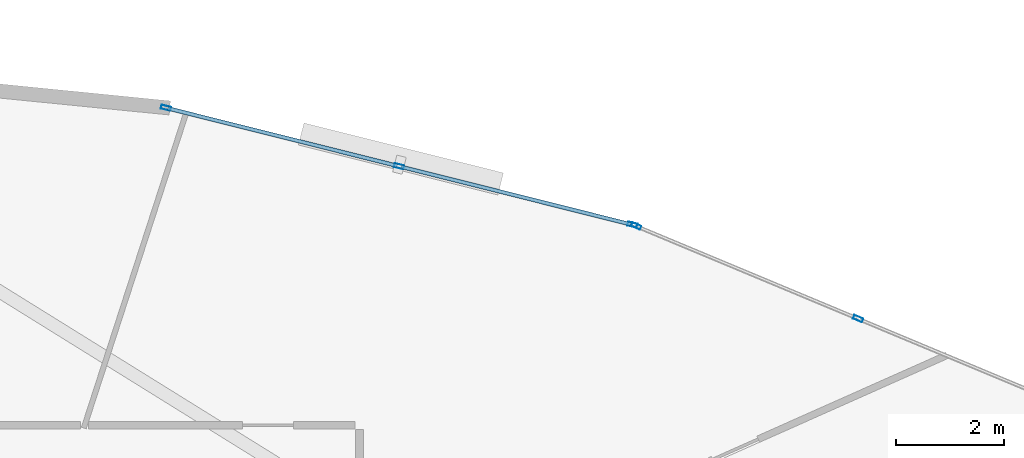
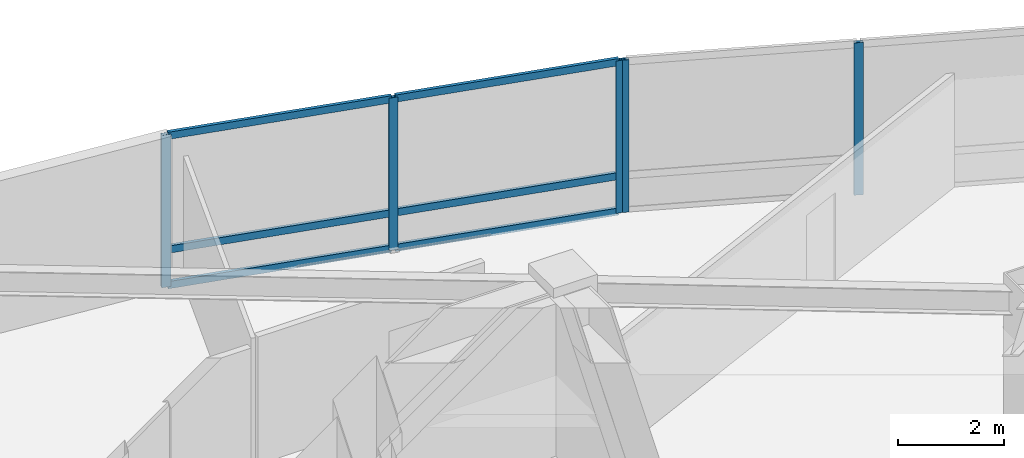
# One storey, part 9 of 18: 11 members, 2 elements without a shape of their own.
"""IFC4 building model written with IfcOpenShell, lengths in metres."""

from ifc_helpers import new_model, si_unit, direction, frame, origin, origin_2d, place, context, subcontext, project, spatial, hollow_rectangle, extrude, material, layer, layer_set, material_profile, profile_set, type_object, element, aggregate, save


model = new_model("IFC4")

# Units and contexts
model_context = context("Model", 3, precision=1e-05, world=origin(), true_north=direction((0.0, 1.0)))
body_context = subcontext(model_context, "Body", "Model", "MODEL_VIEW")
ifc_project = project(units=[si_unit("LENGTHUNIT", "METRE"), si_unit("AREAUNIT", "SQUARE_METRE"), si_unit("VOLUMEUNIT", "CUBIC_METRE"), si_unit("PLANEANGLEUNIT", "RADIAN"), si_unit("MASSUNIT", "GRAM", prefix="KILO")], contexts=[model_context])

# Site, building, storey
site_placement = place(None, origin())
site = spatial("IfcSite", under=ifc_project, at=site_placement, CompositionType="ELEMENT")
building_placement = place(site_placement, origin())
building = spatial("IfcBuilding", under=site, at=building_placement, Name="Menara Vayukalpa", CompositionType="ELEMENT")
storey_placement = place(building_placement, frame((0.0, 0.0, 165.47998046875)))
storey = spatial("IfcBuildingStorey", under=building, at=storey_placement, Name="L41", CompositionType="ELEMENT", Elevation=165.47998046875)

# Curtain wall, members
ifc_material_1 = material(Name="Anodised Terracotta Aluminium Alloy 6063-T6", Category="masonry")
ifc_layer = layer(ifc_material_1, 0.179931640625)
ifc_layer_set = layer_set([ifc_layer], Name="Anodised Terracotta Aluminium Alloy 6063-T6")
curtain_wall_type = type_object("IfcCurtainWallType", Name="CW-CW4", PredefinedType="USERDEFINED", material=ifc_layer_set)
curtain_wall_1_placement = place(storey_placement, origin())
curtain_wall_1 = element("IfcCurtainWall", 1, at=curtain_wall_1_placement, inside=storey, type_object=curtain_wall_type, Name="L41 Sky Bar Cantilever Glazed Curtain Wall CW4 04", ObjectType="UNITISED", PredefinedType="USERDEFINED")
ifc_material_2 = material(Name="Anodised Terracotta Aluminium Alloy 6063-T6", Category="masonry")
ifc_material_profile_1 = material_profile(ifc_material_2, hollow_rectangle(XDim=0.074951171875, YDim=0.179931640625, WallThickness=0.00390625, at=origin_2d()), Name="ALU 75x180x4")
ifc_profile_set_1 = profile_set([ifc_material_profile_1], Name="Anodised Terracotta Aluminium Alloy 6063-T6")
member_type_1 = type_object("IfcMemberType", Name="CWM-CW4", PredefinedType="MULLION", material=ifc_profile_set_1)
member_1_placement = place(storey_placement, frame((42.098388671875, 30.75146484375, 0.0), z_axis=(0.0, 0.0, 1.0), x_axis=(-0.385091352437, -0.922878459104, 0.0)))
member_1 = element("IfcMember", 2, at=member_1_placement, type_object=member_type_1, Name="CW4 mullion 2", PredefinedType="MULLION", context=body_context, shape_type="SweptSolid", body=[
    extrude(hollow_rectangle(XDim=0.074951171875, YDim=0.179931640625, WallThickness=0.00390625, at=origin_2d()), origin(), (0.0, 0.0, 1.0), 3.5),
])
member_2_placement = place(storey_placement, frame((37.996337890625, 32.463134765625, 0.0), z_axis=(0.0, 0.0, 1.0), x_axis=(-0.385091352437, -0.922878459104, 0.0)))
member_2 = element("IfcMember", 3, at=member_2_placement, type_object=member_type_1, Name="CW4 mullion 3", PredefinedType="MULLION", context=body_context, shape_type="SweptSolid", body=[
    extrude(hollow_rectangle(XDim=0.074951171875, YDim=0.179931640625, WallThickness=0.00390625, at=origin_2d()), origin(), (0.0, 0.0, 1.0), 3.5),
])
aggregate(curtain_wall_1, [member_1, member_2])

curtain_wall_2_placement = place(storey_placement, origin())
curtain_wall_2 = element("IfcCurtainWall", 4, at=curtain_wall_2_placement, inside=storey, type_object=curtain_wall_type, Name="L41 Sky Bar Cantilever Glazed Curtain Wall CW4 05", ObjectType="UNITISED", PredefinedType="USERDEFINED")
member_3_placement = place(storey_placement, frame((37.92529296875, 32.48681640625, 0.0), z_axis=(0.0, 0.0, 1.0), x_axis=(-0.243112993066, -0.969997975566, 0.0)))
member_3 = element("IfcMember", 5, at=member_3_placement, type_object=member_type_1, Name="CW4 mullion 1", PredefinedType="MULLION", context=body_context, shape_type="SweptSolid", body=[
    extrude(hollow_rectangle(XDim=0.074951171875, YDim=0.179931640625, WallThickness=0.00390625, at=origin_2d()), origin(), (0.0, 0.0, 1.0), 3.5),
])
member_4_placement = place(storey_placement, frame((33.61376953125, 33.5673828125, 0.0), z_axis=(0.0, 0.0, 1.0), x_axis=(-0.243112993066, -0.969997975566, 0.0)))
member_4 = element("IfcMember", 6, at=member_4_placement, type_object=member_type_1, Name="CW4 mullion 2", PredefinedType="MULLION", context=body_context, shape_type="SweptSolid", body=[
    extrude(hollow_rectangle(XDim=0.074951171875, YDim=0.179931640625, WallThickness=0.00390625, at=origin_2d()), origin(), (0.0, 0.0, 1.0), 3.5),
])
member_5_placement = place(storey_placement, frame((29.302001953125, 34.64794921875, 0.0), z_axis=(0.0, 0.0, 1.0), x_axis=(-0.243112993066, -0.969997975566, 0.0)))
member_5 = element("IfcMember", 7, at=member_5_placement, type_object=member_type_1, Name="CW4 mullion 3", PredefinedType="MULLION", context=body_context, shape_type="SweptSolid", body=[
    extrude(hollow_rectangle(XDim=0.074951171875, YDim=0.179931640625, WallThickness=0.00390625, at=origin_2d()), origin(), (0.0, 0.0, 1.0), 3.5),
])
ifc_material_3 = material(Name="Anodised Terracotta Aluminium Alloy 6063-T6", Category="masonry")
ifc_material_profile_2 = material_profile(ifc_material_3, hollow_rectangle(XDim=0.070068359375, YDim=0.1650390625, WallThickness=0.00390625, at=origin_2d()), Name="ALU 70x165x4")
ifc_profile_set_2 = profile_set([ifc_material_profile_2], Name="Anodised Terracotta Aluminium Alloy 6063-T6")
member_type_2 = type_object("IfcMemberType", Name="CWT-CW4", PredefinedType="USERDEFINED", material=ifc_profile_set_2)
member_6_placement = place(storey_placement, frame((37.888916015625, 32.495849609375, 0.034912109375), z_axis=(-0.969991137753, 0.243140273672, 0.0), x_axis=(-0.243140273672, -0.969991137753, 0.0)))
member_6 = element("IfcMember", 8, at=member_6_placement, type_object=member_type_2, Name="CW4 transom 1.1", ObjectType="TRANSOM", PredefinedType="USERDEFINED", context=body_context, shape_type="SweptSolid", body=[
    extrude(hollow_rectangle(XDim=0.070068359375, YDim=0.1650390625, WallThickness=0.00390625, at=origin_2d()), origin(), (0.0, 0.0, 1.0), 4.369873046875),
])
member_7_placement = place(storey_placement, frame((37.888916015625, 32.495849609375, 0.85009765625), z_axis=(-0.969991137753, 0.243140273672, 0.0), x_axis=(-0.243140273672, -0.969991137753, 0.0)))
member_7 = element("IfcMember", 9, at=member_7_placement, type_object=member_type_2, Name="CW4 transom 1.2", ObjectType="TRANSOM", PredefinedType="USERDEFINED", context=body_context, shape_type="SweptSolid", body=[
    extrude(hollow_rectangle(XDim=0.070068359375, YDim=0.1650390625, WallThickness=0.00390625, at=origin_2d()), origin(), (0.0, 0.0, 1.0), 4.369873046875),
])
member_8_placement = place(storey_placement, frame((37.888916015625, 32.495849609375, 3.465087890625), z_axis=(-0.969991137753, 0.243140273672, 0.0), x_axis=(-0.243140273672, -0.969991137753, 0.0)))
member_8 = element("IfcMember", 10, at=member_8_placement, type_object=member_type_2, Name="CW4 transom 1.3", ObjectType="TRANSOM", PredefinedType="USERDEFINED", context=body_context, shape_type="SweptSolid", body=[
    extrude(hollow_rectangle(XDim=0.070068359375, YDim=0.1650390625, WallThickness=0.00390625, at=origin_2d()), origin(), (0.0, 0.0, 1.0), 4.369873046875),
])
member_9_placement = place(storey_placement, frame((33.577392578125, 33.576416015625, 0.034912109375), z_axis=(-0.969994440281, 0.243127098088, 0.0), x_axis=(-0.243127098088, -0.969994440281, 0.0)))
member_9 = element("IfcMember", 11, at=member_9_placement, type_object=member_type_2, Name="CW4 transom 2.1", ObjectType="TRANSOM", PredefinedType="USERDEFINED", context=body_context, shape_type="SweptSolid", body=[
    extrude(hollow_rectangle(XDim=0.070068359375, YDim=0.1650390625, WallThickness=0.00390625, at=origin_2d()), origin(), (0.0, 0.0, 1.0), 4.3701171875),
])
member_10_placement = place(storey_placement, frame((33.577392578125, 33.576416015625, 0.85009765625), z_axis=(-0.969994440281, 0.243127098088, 0.0), x_axis=(-0.243127098088, -0.969994440281, 0.0)))
member_10 = element("IfcMember", 12, at=member_10_placement, type_object=member_type_2, Name="CW4 transom 2.2", ObjectType="TRANSOM", PredefinedType="USERDEFINED", context=body_context, shape_type="SweptSolid", body=[
    extrude(hollow_rectangle(XDim=0.070068359375, YDim=0.1650390625, WallThickness=0.00390625, at=origin_2d()), origin(), (0.0, 0.0, 1.0), 4.3701171875),
])
member_11_placement = place(storey_placement, frame((33.577392578125, 33.576416015625, 3.465087890625), z_axis=(-0.969994440281, 0.243127098088, 0.0), x_axis=(-0.243127098088, -0.969994440281, 0.0)))
member_11 = element("IfcMember", 13, at=member_11_placement, type_object=member_type_2, Name="CW4 transom 2.3", ObjectType="TRANSOM", PredefinedType="USERDEFINED", context=body_context, shape_type="SweptSolid", body=[
    extrude(hollow_rectangle(XDim=0.070068359375, YDim=0.1650390625, WallThickness=0.00390625, at=origin_2d()), origin(), (0.0, 0.0, 1.0), 4.3701171875),
])
aggregate(curtain_wall_2, [member_3, member_4, member_5, member_6, member_7, member_8, member_9, member_10, member_11])

save(model, "model.ifc")
